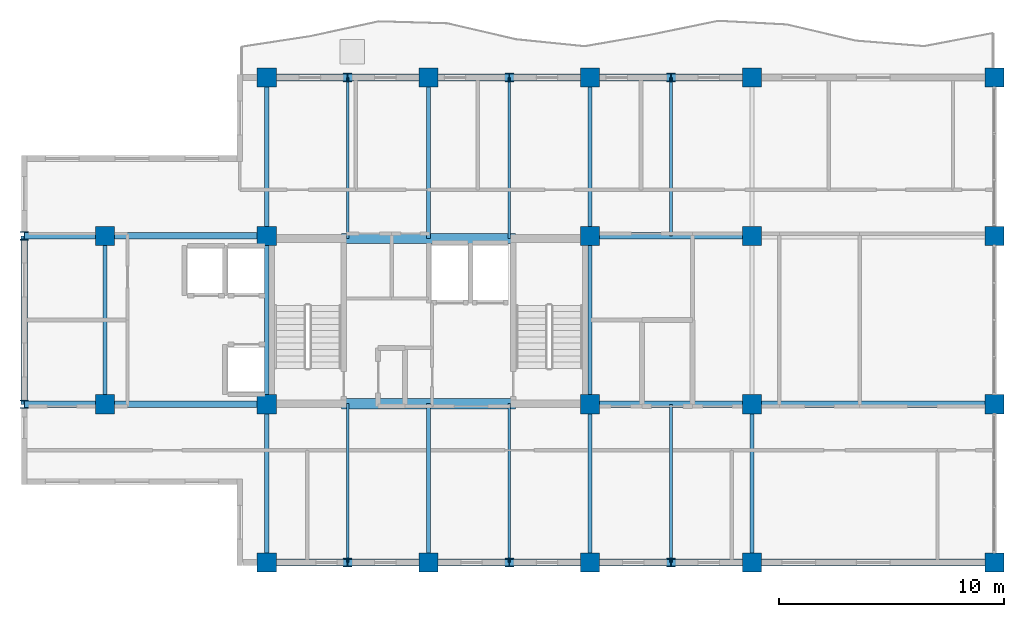
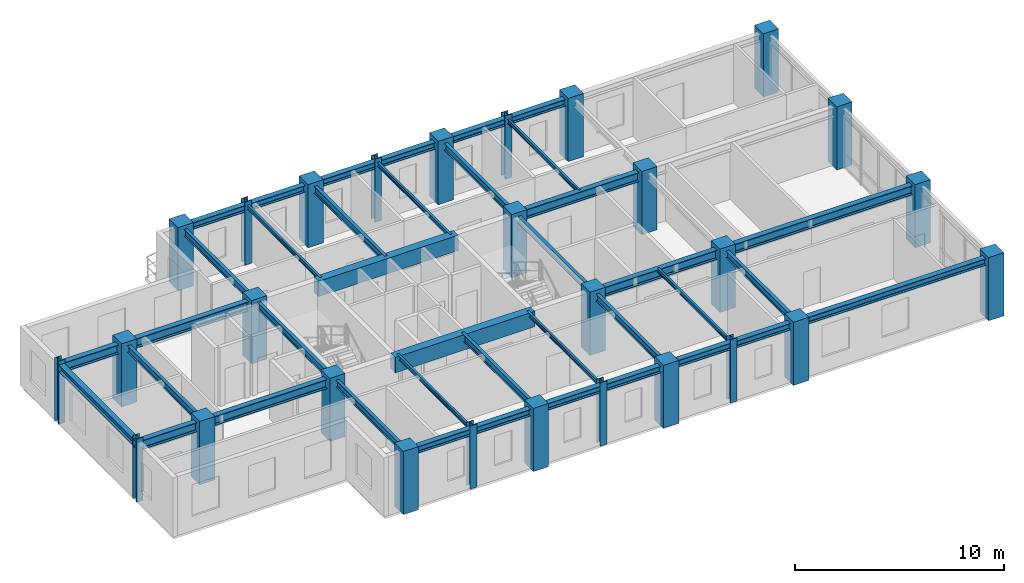
# One storey, part 1 of 10: 39 beams, 28 columns.
"""IFC4 building model written with IfcOpenShell, lengths in metres."""

from ifc_helpers import new_model, si_unit, direction, frame, origin, origin_2d, place, context, subcontext, project, spatial, rectangle, i_section, extrude, source, transform, mapped, material, material_profile, profile_set, type_object, element, save


model = new_model("IFC4")

# Units and contexts
model_context = context("Model", 3, precision=1e-05, world=origin(), true_north=direction((0.0, 1.0)))
body_context = subcontext(model_context, "Body", "Model", "MODEL_VIEW")
ifc_project = project(units=[si_unit("LENGTHUNIT", "METRE"), si_unit("AREAUNIT", "SQUARE_METRE"), si_unit("VOLUMEUNIT", "CUBIC_METRE"), si_unit("PLANEANGLEUNIT", "RADIAN"), si_unit("MASSUNIT", "GRAM", prefix="KILO")], contexts=[model_context])

# Site, building, storey
site_placement = place(None, origin())
site = spatial("IfcSite", under=ifc_project, at=site_placement, CompositionType="ELEMENT")
building_placement = place(site_placement, origin())
building = spatial("IfcBuilding", under=site, at=building_placement, Name="Kaliganga Portal Commons", CompositionType="ELEMENT")
storey_placement = place(building_placement, frame((0.0, 0.0, 275.800048828125)))
storey = spatial("IfcBuildingStorey", under=building, at=storey_placement, Name="L71", CompositionType="ELEMENT", Elevation=275.800048828125)

# Columns
ifc_material_1 = material(Name="Concrete C50/60", Category="concrete")
ifc_material_profile_1 = material_profile(ifc_material_1, rectangle(XDim=0.85009765625, YDim=0.85009765625, at=origin_2d()), Name="RC 850x850")
ifc_profile_set_1 = profile_set([ifc_material_profile_1], Name="Concrete C50/60")
column_type_1 = type_object("IfcColumnType", Name="COL-MEGA-Z5", PredefinedType="COLUMN", material=ifc_profile_set_1)
shared_shape_1 = source(origin(), body_context, "Body", "SweptSolid", [
    extrude(rectangle(XDim=0.85009765625, YDim=0.85009765625, at=origin_2d()), origin(), (0.0, 0.0, 1.0), 3.699951171875),
])
for number, where, z_axis, x_axis, name in (
    (1, (7.199951171875, 28.64990234375, 0.0), (0.0, 0.0, 1.0), (1.0, 0.0, 0.0), "Column MC-06 L71"),
    (2, (7.199951171875, 36.14990234375, 0.0), (0.0, 0.0, 1.0), (1.0, 0.0, 0.0), "Column MC-06 L71"),
    (3, (14.39990234375, 21.60009765625, 0.0), (0.0, 0.0, 1.0), (1.0, 0.0, 0.0), "Column MC-06 L71"),
    (4, (14.39990234375, 28.64990234375, 0.0), (0.0, 0.0, 1.0), (1.0, 0.0, 0.0), "Column MC-06 L71"),
    (5, (14.39990234375, 36.14990234375, 0.0), (0.0, 0.0, 1.0), (1.0, 0.0, 0.0), "Column MC-06 L71"),
    (6, (14.39990234375, 43.199951171875, 0.0), (0.0, 0.0, 1.0), (1.0, 0.0, 0.0), "Column MC-06 L71"),
    (7, (21.60009765625, 21.60009765625, 0.0), (0.0, 0.0, 1.0), (1.0, 0.0, 0.0), "Column MC-06 L71"),
    (8, (21.60009765625, 43.199951171875, 0.0), (0.0, 0.0, 1.0), (1.0, 0.0, 0.0), "Column MC-06 L71"),
    (9, (28.800048828125, 21.60009765625, 0.0), (0.0, 0.0, 1.0), (1.0, 0.0, 0.0), "Column MC-06 L71"),
    (10, (28.800048828125, 28.64990234375, 0.0), (0.0, 0.0, 1.0), (1.0, 0.0, 0.0), "Column MC-06 L71"),
    (11, (28.800048828125, 36.14990234375, 0.0), (0.0, 0.0, 1.0), (1.0, 0.0, 0.0), "Column MC-06 L71"),
    (12, (28.800048828125, 43.199951171875, 0.0), (0.0, 0.0, 1.0), (1.0, 0.0, 0.0), "Column MC-06 L71"),
    (13, (36.0, 21.60009765625, 0.0), (0.0, 0.0, 1.0), (1.0, 0.0, 0.0), "Column MC-06 L71"),
    (14, (36.0, 43.199951171875, 0.0), (0.0, 0.0, 1.0), (1.0, 0.0, 0.0), "Column MC-06 L71"),
    (15, (36.0, 28.64990234375, 0.0), (0.0, 0.0, 1.0), (1.0, 0.0, 0.0), "Column MC-06 L71"),
    (16, (36.0, 36.14990234375, 0.0), (0.0, 0.0, 1.0), (1.0, 0.0, 0.0), "Column MC-06 L71"),
    (17, (46.800048828125, 21.60009765625, 0.0), (0.0, 0.0, 1.0), (1.0, 0.0, 0.0), "Column MC-06 L71"),
    (18, (46.800048828125, 28.64990234375, 0.0), (0.0, 0.0, 1.0), (1.0, 0.0, 0.0), "Column MC-06 L71"),
    (19, (46.800048828125, 36.14990234375, 0.0), (0.0, 0.0, 1.0), (1.0, 0.0, 0.0), "Column MC-06 L71"),
    (20, (46.800048828125, 43.199951171875, 0.0), (0.0, 0.0, 1.0), (1.0, 0.0, 0.0), "Column MC-06 L71"),
):
    element("IfcColumn", number, at=place(storey_placement, frame(where, z_axis=z_axis, x_axis=x_axis)), inside=storey, type_object=column_type_1, Name=name, PredefinedType="COLUMN", context=body_context, shape_type="MappedRepresentation", body=[
        mapped(shared_shape_1, transform((0.0, 0.0, 0.0), x_axis=(1.0, 0.0, 0.0), y_axis=(0.0, 1.0, 0.0), z_axis=(0.0, 0.0, 1.0), scale=1.0)),
    ])
ifc_material_2 = material(Name="Structural steel S355J2", Category="steel")
ifc_material_profile_2 = material_profile(ifc_material_2, i_section(OverallWidth=0.3740234375, OverallDepth=0.3720703125, WebThickness=0.014892578125, FlangeThickness=0.02587890625, FilletRadius=0.014892578125, at=origin_2d()), Name="HD 360x196")
ifc_profile_set_2 = profile_set([ifc_material_profile_2], Name="Structural steel S355J2 wide-flange")
column_type_2 = type_object("IfcColumnType", Name="COL-TUBE-B5", PredefinedType="COLUMN", material=ifc_profile_set_2)
shared_shape_2 = source(origin(), body_context, "Body", "SweptSolid", [
    extrude(i_section(OverallWidth=0.3740234375, OverallDepth=0.3720703125, WebThickness=0.014892578125, FlangeThickness=0.02587890625, FilletRadius=0.014892578125, at=origin_2d()), origin(), (0.0, 0.0, 1.0), 3.699951171875),
])
for number, where, z_axis, x_axis, name in (
    (21, (3.60009765625, 28.64990234375, 0.0), (0.0, 0.0, 1.0), (1.0, 0.0, 0.0), "Column TC-05 L71"),
    (22, (3.60009765625, 36.14990234375, 0.0), (0.0, 0.0, 1.0), (1.0, 0.0, 0.0), "Column TC-05 L71"),
    (23, (18.0, 21.60009765625, 0.0), (0.0, 0.0, 1.0), (1.0, 0.0, 0.0), "Column TC-05 L71"),
    (24, (18.0, 43.199951171875, 0.0), (0.0, 0.0, 1.0), (1.0, 0.0, 0.0), "Column TC-05 L71"),
    (25, (25.199951171875, 21.60009765625, 0.0), (0.0, 0.0, 1.0), (1.0, 0.0, 0.0), "Column TC-05 L71"),
    (26, (25.199951171875, 43.199951171875, 0.0), (0.0, 0.0, 1.0), (1.0, 0.0, 0.0), "Column TC-05 L71"),
    (27, (32.39990234375, 21.60009765625, 0.0), (0.0, 0.0, 1.0), (1.0, 0.0, 0.0), "Column TC-05 L71"),
    (28, (32.39990234375, 43.199951171875, 0.0), (0.0, 0.0, 1.0), (1.0, 0.0, 0.0), "Column TC-05 L71"),
):
    element("IfcColumn", number, at=place(storey_placement, frame(where, z_axis=z_axis, x_axis=x_axis)), inside=storey, type_object=column_type_2, Name=name, PredefinedType="COLUMN", context=body_context, shape_type="MappedRepresentation", body=[
        mapped(shared_shape_2, transform((0.0, 0.0, 0.0), x_axis=(1.0, 0.0, 0.0), y_axis=(0.0, 1.0, 0.0), z_axis=(0.0, 0.0, 1.0), scale=1.0)),
    ])

# Beams
ifc_material_profile_3 = material_profile(ifc_material_1, rectangle(XDim=0.449951171875, YDim=0.89990234375, at=origin_2d()), Name="RC 450x900")
ifc_profile_set_3 = profile_set([ifc_material_profile_3], Name="Concrete C50/60")
beam_type_1 = type_object("IfcBeamType", Name="BM-CPL-900", PredefinedType="LINTEL", material=ifc_profile_set_3)
shared_shape_3 = source(origin(), body_context, "Body", "SweptSolid", [
    extrude(rectangle(XDim=0.449951171875, YDim=0.89990234375, at=origin_2d()), origin(), (0.0, 0.0, 1.0), 7.739990234375),
])
for number, where, z_axis, x_axis, name in (
    (29, (17.72998046875, 28.675048828125, 3.02490234375), (1.0, 0.0, 0.0), (0.0, 1.0, 0.0), "BM CPL COREA L71 S"),
    (30, (17.72998046875, 36.02490234375, 3.02490234375), (1.0, 0.0, 0.0), (0.0, 1.0, 0.0), "BM CPL COREA L71 N"),
):
    element("IfcBeam", number, at=place(storey_placement, frame(where, z_axis=z_axis, x_axis=x_axis)), inside=storey, type_object=beam_type_1, Name=name, PredefinedType="LINTEL", context=body_context, shape_type="MappedRepresentation", body=[
        mapped(shared_shape_3, transform((0.0, 0.0, 0.0), x_axis=(1.0, 0.0, 0.0), y_axis=(0.0, 1.0, 0.0), z_axis=(0.0, 0.0, 1.0), scale=1.0)),
    ])
ifc_material_profile_4 = material_profile(ifc_material_2, i_section(OverallWidth=0.300048828125, OverallDepth=0.39990234375, WebThickness=0.013427734375, FlangeThickness=0.02392578125, FilletRadius=0.027099609375, at=origin_2d()), Name="HE 400 B")
ifc_profile_set_4 = profile_set([ifc_material_profile_4], Name="Structural steel S355J2 wide-flange")
beam_type_2 = type_object("IfcBeamType", Name="BM-SPAND-400", PredefinedType="SPANDREL", material=ifc_profile_set_4)
shared_shape_4 = source(origin(), body_context, "Body", "SweptSolid", [
    extrude(i_section(OverallWidth=0.300048828125, OverallDepth=0.39990234375, WebThickness=0.013427734375, FlangeThickness=0.02392578125, FilletRadius=0.027099609375, at=origin_2d()), origin(), (0.0, 0.0, 1.0), 3.60009765625),
])
for number, where, z_axis, x_axis, name in (
    (31, (14.39990234375, 43.199951171875, 3.27490234375), (1.0, 0.0, 0.0), (0.0, 1.0, 0.0), "BM SP L71 AN 1"),
    (32, (18.0, 43.199951171875, 3.27490234375), (1.0, 0.0, 0.0), (0.0, 1.0, 0.0), "BM SP L71 AN 2"),
    (33, (25.199951171875, 43.199951171875, 3.27490234375), (1.0, 0.0, 0.0), (0.0, 1.0, 0.0), "BM SP L71 AN 4"),
    (34, (32.39990234375, 43.199951171875, 3.27490234375), (1.0, 0.0, 0.0), (0.0, 1.0, 0.0), "BM SP L71 AN 6"),
    (35, (14.39990234375, 21.60009765625, 3.27490234375), (1.0, 0.0, 0.0), (0.0, 1.0, 0.0), "BM SP L71 AS 1"),
    (36, (18.0, 21.60009765625, 3.27490234375), (1.0, 0.0, 0.0), (0.0, 1.0, 0.0), "BM SP L71 AS 2"),
    (37, (25.199951171875, 21.60009765625, 3.27490234375), (1.0, 0.0, 0.0), (0.0, 1.0, 0.0), "BM SP L71 AS 4"),
    (38, (32.39990234375, 21.60009765625, 3.27490234375), (1.0, 0.0, 0.0), (0.0, 1.0, 0.0), "BM SP L71 AS 6"),
):
    element("IfcBeam", number, at=place(storey_placement, frame(where, z_axis=z_axis, x_axis=x_axis)), inside=storey, type_object=beam_type_2, Name=name, PredefinedType="SPANDREL", context=body_context, shape_type="MappedRepresentation", body=[
        mapped(shared_shape_4, transform((0.0, 0.0, 0.0), x_axis=(1.0, 0.0, 0.0), y_axis=(0.0, 1.0, 0.0), z_axis=(0.0, 0.0, 1.0), scale=1.0)),
    ])
shared_shape_5 = source(origin(), body_context, "Body", "SweptSolid", [
    extrude(i_section(OverallWidth=0.300048828125, OverallDepth=0.39990234375, WebThickness=0.013427734375, FlangeThickness=0.02392578125, FilletRadius=0.027099609375, at=origin_2d()), origin(), (0.0, 0.0, 1.0), 3.599853515625),
])
for number, where, z_axis, x_axis, name in (
    (39, (21.60009765625, 43.199951171875, 3.27490234375), (1.0, 0.0, 0.0), (0.0, 1.0, 0.0), "BM SP L71 AN 3"),
    (40, (28.800048828125, 43.199951171875, 3.27490234375), (1.0, 0.0, 0.0), (0.0, 1.0, 0.0), "BM SP L71 AN 5"),
    (41, (21.60009765625, 21.60009765625, 3.27490234375), (1.0, 0.0, 0.0), (0.0, 1.0, 0.0), "BM SP L71 AS 3"),
    (42, (28.800048828125, 21.60009765625, 3.27490234375), (1.0, 0.0, 0.0), (0.0, 1.0, 0.0), "BM SP L71 AS 5"),
):
    element("IfcBeam", number, at=place(storey_placement, frame(where, z_axis=z_axis, x_axis=x_axis)), inside=storey, type_object=beam_type_2, Name=name, PredefinedType="SPANDREL", context=body_context, shape_type="MappedRepresentation", body=[
        mapped(shared_shape_5, transform((0.0, 0.0, 0.0), x_axis=(1.0, 0.0, 0.0), y_axis=(0.0, 1.0, 0.0), z_axis=(0.0, 0.0, 1.0), scale=1.0)),
    ])
shared_shape_6 = source(origin(), body_context, "Body", "SweptSolid", [
    extrude(i_section(OverallWidth=0.300048828125, OverallDepth=0.39990234375, WebThickness=0.013427734375, FlangeThickness=0.02392578125, FilletRadius=0.027099609375, at=origin_2d()), origin(), (0.0, 0.0, 1.0), 10.800048828125),
])
beam_1_placement = place(storey_placement, frame((36.0, 21.60009765625, 3.27490234375), z_axis=(1.0, 0.0, 0.0), x_axis=(0.0, 1.0, 0.0)))
element("IfcBeam", 43, at=beam_1_placement, inside=storey, type_object=beam_type_2, Name="BM SP L71 AS 7", PredefinedType="SPANDREL", context=body_context, shape_type="MappedRepresentation", body=[
    mapped(shared_shape_6, transform((0.0, 0.0, 0.0), x_axis=(1.0, 0.0, 0.0), y_axis=(0.0, 1.0, 0.0), z_axis=(0.0, 0.0, 1.0), scale=1.0)),
])
ifc_material_profile_5 = material_profile(ifc_material_2, i_section(OverallWidth=0.300048828125, OverallDepth=0.550048828125, WebThickness=0.014892578125, FlangeThickness=0.029052734375, FilletRadius=0.027099609375, at=origin_2d()), Name="HE 550 B")
ifc_profile_set_5 = profile_set([ifc_material_profile_5], Name="Structural steel S355J2 wide-flange")
beam_type_3 = type_object("IfcBeamType", Name="BM-GIRD-550", PredefinedType="USERDEFINED", material=ifc_profile_set_5)
shared_shape_7 = source(origin(), body_context, "Body", "SweptSolid", [
    extrude(i_section(OverallWidth=0.300048828125, OverallDepth=0.550048828125, WebThickness=0.014892578125, FlangeThickness=0.029052734375, FilletRadius=0.027099609375, at=origin_2d()), origin(), (0.0, 0.0, 1.0), 7.199951171875),
])
for number, where, z_axis, x_axis, name in (
    (44, (7.199951171875, 28.64990234375, 3.199951171875), (1.0, 0.0, 0.0), (0.0, 1.0, 0.0), "BM G L71 WAH_S 2"),
    (45, (7.199951171875, 36.14990234375, 3.199951171875), (1.0, 0.0, 0.0), (0.0, 1.0, 0.0), "BM G L71 WAH_N 2"),
    (46, (28.800048828125, 28.64990234375, 3.199951171875), (1.0, 0.0, 0.0), (0.0, 1.0, 0.0), "BM G L71 WAE_S 1"),
    (47, (28.800048828125, 36.14990234375, 3.199951171875), (1.0, 0.0, 0.0), (0.0, 1.0, 0.0), "BM G L71 WAE_N 1"),
):
    element("IfcBeam", number, at=place(storey_placement, frame(where, z_axis=z_axis, x_axis=x_axis)), inside=storey, type_object=beam_type_3, Name=name, ObjectType="GIRDER", PredefinedType="USERDEFINED", context=body_context, shape_type="MappedRepresentation", body=[
        mapped(shared_shape_7, transform((0.0, 0.0, 0.0), x_axis=(1.0, 0.0, 0.0), y_axis=(0.0, 1.0, 0.0), z_axis=(0.0, 0.0, 1.0), scale=1.0)),
    ])
shared_shape_8 = source(origin(), body_context, "Body", "SweptSolid", [
    extrude(i_section(OverallWidth=0.300048828125, OverallDepth=0.550048828125, WebThickness=0.014892578125, FlangeThickness=0.029052734375, FilletRadius=0.027099609375, at=origin_2d()), origin(), (0.0, 0.0, 1.0), 10.800048828125),
])
beam_2_placement = place(storey_placement, frame((36.0, 28.64990234375, 3.199951171875), z_axis=(1.0, 0.0, 0.0), x_axis=(0.0, 1.0, 0.0)))
element("IfcBeam", 48, at=beam_2_placement, inside=storey, type_object=beam_type_3, Name="BM G L71 WAE_S 2", ObjectType="GIRDER", PredefinedType="USERDEFINED", context=body_context, shape_type="MappedRepresentation", body=[
    mapped(shared_shape_8, transform((0.0, 0.0, 0.0), x_axis=(1.0, 0.0, 0.0), y_axis=(0.0, 1.0, 0.0), z_axis=(0.0, 0.0, 1.0), scale=1.0)),
])
shared_shape_9 = source(origin(), body_context, "Body", "SweptSolid", [
    extrude(i_section(OverallWidth=0.300048828125, OverallDepth=0.550048828125, WebThickness=0.014892578125, FlangeThickness=0.029052734375, FilletRadius=0.027099609375, at=origin_2d()), origin(), (0.0, 0.0, 1.0), 3.599853515625),
])
for number, where, z_axis, x_axis, name in (
    (49, (3.60009765625, 28.64990234375, 3.199951171875), (1.0, 0.0, 0.0), (0.0, 1.0, 0.0), "BM G L71 WAH_S 1"),
    (50, (3.60009765625, 36.14990234375, 3.199951171875), (1.0, 0.0, 0.0), (0.0, 1.0, 0.0), "BM G L71 WAH_N 1"),
):
    element("IfcBeam", number, at=place(storey_placement, frame(where, z_axis=z_axis, x_axis=x_axis)), inside=storey, type_object=beam_type_3, Name=name, ObjectType="GIRDER", PredefinedType="USERDEFINED", context=body_context, shape_type="MappedRepresentation", body=[
        mapped(shared_shape_9, transform((0.0, 0.0, 0.0), x_axis=(1.0, 0.0, 0.0), y_axis=(0.0, 1.0, 0.0), z_axis=(0.0, 0.0, 1.0), scale=1.0)),
    ])
shared_shape_10 = source(origin(), body_context, "Body", "SweptSolid", [
    extrude(i_section(OverallWidth=0.300048828125, OverallDepth=0.39990234375, WebThickness=0.013427734375, FlangeThickness=0.02392578125, FilletRadius=0.027099609375, at=origin_2d()), origin(), (0.0, 0.0, 1.0), 7.5),
])
beam_3_placement = place(storey_placement, frame((3.60009765625, 28.64990234375, 3.27490234375), z_axis=(0.0, 1.0, 0.0), x_axis=(-1.0, 0.0, 0.0)))
element("IfcBeam", 51, at=beam_3_placement, inside=storey, type_object=beam_type_2, Name="BM SP L71 AW", PredefinedType="SPANDREL", context=body_context, shape_type="MappedRepresentation", body=[
    mapped(shared_shape_10, transform((0.0, 0.0, 0.0), x_axis=(1.0, 0.0, 0.0), y_axis=(0.0, 1.0, 0.0), z_axis=(0.0, 0.0, 1.0), scale=1.0)),
])
ifc_material_profile_6 = material_profile(ifc_material_2, i_section(OverallWidth=0.179931640625, OverallDepth=0.39990234375, WebThickness=0.008544921875, FlangeThickness=0.013427734375, FilletRadius=0.02099609375, at=origin_2d()), Name="IPE 400")
ifc_profile_set_6 = profile_set([ifc_material_profile_6], Name="Structural steel S355J2 wide-flange")
beam_type_4 = type_object("IfcBeamType", Name="BM-FLR-400", PredefinedType="BEAM", material=ifc_profile_set_6)
shared_shape_11 = source(origin(), body_context, "Body", "SweptSolid", [
    extrude(i_section(OverallWidth=0.179931640625, OverallDepth=0.39990234375, WebThickness=0.008544921875, FlangeThickness=0.013427734375, FilletRadius=0.02099609375, at=origin_2d()), origin(), (0.0, 0.0, 1.0), 7.5),
])
for number, where, z_axis, x_axis, name in (
    (52, (7.199951171875, 28.64990234375, 3.27490234375), (0.0, 1.0, 0.0), (-1.0, 0.0, 0.0), "BM G L71 AW72"),
    (53, (14.39990234375, 28.64990234375, 3.27490234375), (0.0, 1.0, 0.0), (-1.0, 0.0, 0.0), "BM G L71 AM144"),
    (54, (28.800048828125, 28.64990234375, 3.27490234375), (0.0, 1.0, 0.0), (-1.0, 0.0, 0.0), "BM G L71 AM288"),
):
    element("IfcBeam", number, at=place(storey_placement, frame(where, z_axis=z_axis, x_axis=x_axis)), inside=storey, type_object=beam_type_4, Name=name, PredefinedType="BEAM", context=body_context, shape_type="MappedRepresentation", body=[
        mapped(shared_shape_11, transform((0.0, 0.0, 0.0), x_axis=(1.0, 0.0, 0.0), y_axis=(0.0, 1.0, 0.0), z_axis=(0.0, 0.0, 1.0), scale=1.0)),
    ])
shared_shape_12 = source(origin(), body_context, "Body", "SweptSolid", [
    extrude(i_section(OverallWidth=0.179931640625, OverallDepth=0.39990234375, WebThickness=0.008544921875, FlangeThickness=0.013427734375, FilletRadius=0.02099609375, at=origin_2d()), origin(), (0.0, 0.0, 1.0), 7.050048828125),
])
for number, where, z_axis, x_axis, name in (
    (55, (14.39990234375, 36.14990234375, 3.27490234375), (0.0, 1.0, 0.0), (-1.0, 0.0, 0.0), "BM G L71 AN144"),
    (56, (28.800048828125, 36.14990234375, 3.27490234375), (0.0, 1.0, 0.0), (-1.0, 0.0, 0.0), "BM G L71 AN288"),
):
    element("IfcBeam", number, at=place(storey_placement, frame(where, z_axis=z_axis, x_axis=x_axis)), inside=storey, type_object=beam_type_4, Name=name, PredefinedType="BEAM", context=body_context, shape_type="MappedRepresentation", body=[
        mapped(shared_shape_12, transform((0.0, 0.0, 0.0), x_axis=(1.0, 0.0, 0.0), y_axis=(0.0, 1.0, 0.0), z_axis=(0.0, 0.0, 1.0), scale=1.0)),
    ])
shared_shape_13 = source(origin(), body_context, "Body", "SweptSolid", [
    extrude(i_section(OverallWidth=0.179931640625, OverallDepth=0.39990234375, WebThickness=0.008544921875, FlangeThickness=0.013427734375, FilletRadius=0.02099609375, at=origin_2d()), origin(), (0.0, 0.0, 1.0), 7.0498046875),
])
for number, where, z_axis, x_axis, name in (
    (57, (14.39990234375, 21.60009765625, 3.27490234375), (0.0, 1.0, 0.0), (-1.0, 0.0, 0.0), "BM G L71 AS144"),
    (58, (28.800048828125, 21.60009765625, 3.27490234375), (0.0, 1.0, 0.0), (-1.0, 0.0, 0.0), "BM G L71 AS288"),
    (59, (36.0, 21.60009765625, 3.27490234375), (0.0, 1.0, 0.0), (-1.0, 0.0, 0.0), "BM G L71 AS360"),
):
    element("IfcBeam", number, at=place(storey_placement, frame(where, z_axis=z_axis, x_axis=x_axis)), inside=storey, type_object=beam_type_4, Name=name, PredefinedType="BEAM", context=body_context, shape_type="MappedRepresentation", body=[
        mapped(shared_shape_13, transform((0.0, 0.0, 0.0), x_axis=(1.0, 0.0, 0.0), y_axis=(0.0, 1.0, 0.0), z_axis=(0.0, 0.0, 1.0), scale=1.0)),
    ])
shared_shape_14 = source(origin(), body_context, "Body", "SweptSolid", [
    extrude(i_section(OverallWidth=0.179931640625, OverallDepth=0.39990234375, WebThickness=0.008544921875, FlangeThickness=0.013427734375, FilletRadius=0.02099609375, at=origin_2d()), origin(), (0.0, 0.0, 1.0), 7.175048828125),
])
beam_4_placement = place(storey_placement, frame((21.60009765625, 36.02490234375, 3.27490234375), z_axis=(0.0, 1.0, 0.0), x_axis=(-1.0, 0.0, 0.0)))
element("IfcBeam", 60, at=beam_4_placement, inside=storey, type_object=beam_type_4, Name="BM G L71 AN216", PredefinedType="BEAM", context=body_context, shape_type="MappedRepresentation", body=[
    mapped(shared_shape_14, transform((0.0, 0.0, 0.0), x_axis=(1.0, 0.0, 0.0), y_axis=(0.0, 1.0, 0.0), z_axis=(0.0, 0.0, 1.0), scale=1.0)),
])
shared_shape_15 = source(origin(), body_context, "Body", "SweptSolid", [
    extrude(i_section(OverallWidth=0.179931640625, OverallDepth=0.39990234375, WebThickness=0.008544921875, FlangeThickness=0.013427734375, FilletRadius=0.02099609375, at=origin_2d()), origin(), (0.0, 0.0, 1.0), 7.074951171875),
])
beam_5_placement = place(storey_placement, frame((21.60009765625, 21.60009765625, 3.27490234375), z_axis=(0.0, 1.0, 0.0), x_axis=(-1.0, 0.0, 0.0)))
element("IfcBeam", 61, at=beam_5_placement, inside=storey, type_object=beam_type_4, Name="BM G L71 AS216", PredefinedType="BEAM", context=body_context, shape_type="MappedRepresentation", body=[
    mapped(shared_shape_15, transform((0.0, 0.0, 0.0), x_axis=(1.0, 0.0, 0.0), y_axis=(0.0, 1.0, 0.0), z_axis=(0.0, 0.0, 1.0), scale=1.0)),
])
ifc_material_profile_7 = material_profile(ifc_material_2, i_section(OverallWidth=0.1201171875, OverallDepth=0.239990234375, WebThickness=0.006103515625, FlangeThickness=0.009765625, FilletRadius=0.014892578125, at=origin_2d()), Name="IPE 240")
ifc_profile_set_7 = profile_set([ifc_material_profile_7], Name="Structural steel S355J2 wide-flange")
beam_type_5 = type_object("IfcBeamType", Name="BM-JST-240", PredefinedType="JOIST", material=ifc_profile_set_7)
shared_shape_16 = source(origin(), body_context, "Body", "SweptSolid", [
    extrude(i_section(OverallWidth=0.1201171875, OverallDepth=0.239990234375, WebThickness=0.006103515625, FlangeThickness=0.009765625, FilletRadius=0.014892578125, at=origin_2d()), origin(), (0.0, 0.0, 1.0), 7.175048828125),
])
for number, where, z_axis, x_axis, name in (
    (62, (18.0, 36.02490234375, 3.35498046875), (0.0, 1.0, 0.0), (-1.0, 0.0, 0.0), "BM G L71 AN180"),
    (63, (25.199951171875, 36.02490234375, 3.35498046875), (0.0, 1.0, 0.0), (-1.0, 0.0, 0.0), "BM G L71 AN252"),
):
    element("IfcBeam", number, at=place(storey_placement, frame(where, z_axis=z_axis, x_axis=x_axis)), inside=storey, type_object=beam_type_5, Name=name, PredefinedType="JOIST", context=body_context, shape_type="MappedRepresentation", body=[
        mapped(shared_shape_16, transform((0.0, 0.0, 0.0), x_axis=(1.0, 0.0, 0.0), y_axis=(0.0, 1.0, 0.0), z_axis=(0.0, 0.0, 1.0), scale=1.0)),
    ])
shared_shape_17 = source(origin(), body_context, "Body", "SweptSolid", [
    extrude(i_section(OverallWidth=0.1201171875, OverallDepth=0.239990234375, WebThickness=0.006103515625, FlangeThickness=0.009765625, FilletRadius=0.014892578125, at=origin_2d()), origin(), (0.0, 0.0, 1.0), 7.074951171875),
])
for number, where, z_axis, x_axis, name in (
    (64, (18.0, 21.60009765625, 3.35498046875), (0.0, 1.0, 0.0), (-1.0, 0.0, 0.0), "BM G L71 AS180"),
    (65, (25.199951171875, 21.60009765625, 3.35498046875), (0.0, 1.0, 0.0), (-1.0, 0.0, 0.0), "BM G L71 AS252"),
):
    element("IfcBeam", number, at=place(storey_placement, frame(where, z_axis=z_axis, x_axis=x_axis)), inside=storey, type_object=beam_type_5, Name=name, PredefinedType="JOIST", context=body_context, shape_type="MappedRepresentation", body=[
        mapped(shared_shape_17, transform((0.0, 0.0, 0.0), x_axis=(1.0, 0.0, 0.0), y_axis=(0.0, 1.0, 0.0), z_axis=(0.0, 0.0, 1.0), scale=1.0)),
    ])
shared_shape_18 = source(origin(), body_context, "Body", "SweptSolid", [
    extrude(i_section(OverallWidth=0.1201171875, OverallDepth=0.239990234375, WebThickness=0.006103515625, FlangeThickness=0.009765625, FilletRadius=0.014892578125, at=origin_2d()), origin(), (0.0, 0.0, 1.0), 7.050048828125),
])
beam_6_placement = place(storey_placement, frame((32.39990234375, 36.14990234375, 3.35498046875), z_axis=(0.0, 1.0, 0.0), x_axis=(-1.0, 0.0, 0.0)))
element("IfcBeam", 66, at=beam_6_placement, inside=storey, type_object=beam_type_5, Name="BM G L71 AN324", PredefinedType="JOIST", context=body_context, shape_type="MappedRepresentation", body=[
    mapped(shared_shape_18, transform((0.0, 0.0, 0.0), x_axis=(1.0, 0.0, 0.0), y_axis=(0.0, 1.0, 0.0), z_axis=(0.0, 0.0, 1.0), scale=1.0)),
])
shared_shape_19 = source(origin(), body_context, "Body", "SweptSolid", [
    extrude(i_section(OverallWidth=0.1201171875, OverallDepth=0.239990234375, WebThickness=0.006103515625, FlangeThickness=0.009765625, FilletRadius=0.014892578125, at=origin_2d()), origin(), (0.0, 0.0, 1.0), 7.0498046875),
])
beam_7_placement = place(storey_placement, frame((32.39990234375, 21.60009765625, 3.35498046875), z_axis=(0.0, 1.0, 0.0), x_axis=(-1.0, 0.0, 0.0)))
element("IfcBeam", 67, at=beam_7_placement, inside=storey, type_object=beam_type_5, Name="BM G L71 AS324", PredefinedType="JOIST", context=body_context, shape_type="MappedRepresentation", body=[
    mapped(shared_shape_19, transform((0.0, 0.0, 0.0), x_axis=(1.0, 0.0, 0.0), y_axis=(0.0, 1.0, 0.0), z_axis=(0.0, 0.0, 1.0), scale=1.0)),
])

save(model, "model.ifc")
